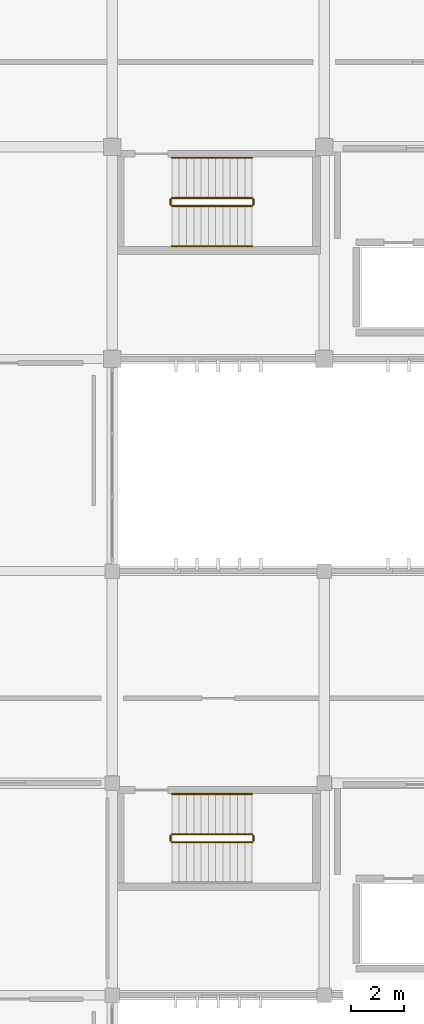
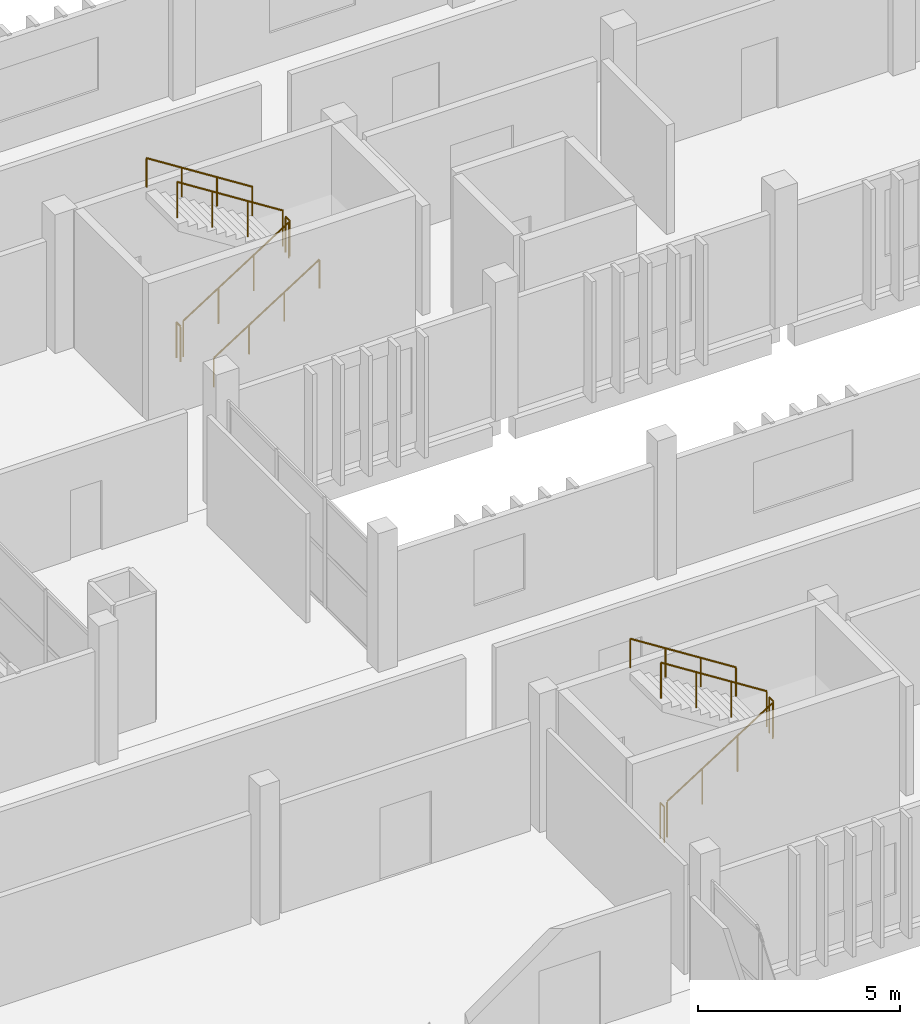
# One storey, part 60 of 63: 11 railings.
"""IFC4 building model written with IfcOpenShell, lengths in metres."""

from ifc_helpers import new_model, si_unit, direction, frame, origin, origin_2d, place, context, subcontext, project, spatial, circle, extrude, material, type_object, element, save


model = new_model("IFC4")

# Units and contexts
model_context = context("Model", 3, precision=1e-05, world=origin(), true_north=direction((0.0, 1.0)))
body_context = subcontext(model_context, "Body", "Model", "MODEL_VIEW")
ifc_project = project(units=[si_unit("LENGTHUNIT", "METRE"), si_unit("AREAUNIT", "SQUARE_METRE"), si_unit("VOLUMEUNIT", "CUBIC_METRE"), si_unit("PLANEANGLEUNIT", "RADIAN"), si_unit("MASSUNIT", "GRAM", prefix="KILO")], contexts=[model_context])

# Site, building, storey
site_placement = place(None, origin())
site = spatial("IfcSite", under=ifc_project, at=site_placement, CompositionType="ELEMENT")
building_placement = place(site_placement, origin())
building = spatial("IfcBuilding", under=site, at=building_placement, Name="Jelvoka-Kovrelna Polytechnic", CompositionType="ELEMENT")
storey_placement = place(building_placement, frame((0.0, 0.0, 18.0)))
storey = spatial("IfcBuildingStorey", under=building, at=storey_placement, Name="L05", CompositionType="ELEMENT", Elevation=18.0)

# Railings
ifc_material_1 = material(Name="Powder-coated steel stair guard", Category="steel")
railing_type_1 = type_object("IfcRailingType", Name="Railing_Stair_Guard_1100", PredefinedType="GUARDRAIL", material=ifc_material_1)
railing_1_placement = place(storey_placement, frame((82.25, 37.77001953125, 0.175048828125)))
element("IfcRailing", 1, at=railing_1_placement, inside=storey, type_object=railing_type_1, Name="L05 ST07 stair guard 1", PredefinedType="GUARDRAIL", context=body_context, shape_type="SweptSolid", body=[
    extrude(circle(Radius=0.02392578125, at=origin_2d()), frame((0.0, 0.0, 1.076171875), z_axis=(0.84364746871, 0.0, 0.536897521451), x_axis=(0.0, 1.0, 0.0)), (0.0, 0.0, 1.0), 3.58544921875),
    extrude(circle(Radius=0.02099609375, at=origin_2d()), origin(), (0.0, 0.0, 1.0), 1.052001953125),
    extrude(circle(Radius=0.02099609375, at=origin_2d()), frame((1.00830078125, 0.0, 0.6416015625)), (0.0, 0.0, 1.0), 1.052001953125),
    extrude(circle(Radius=0.02099609375, at=origin_2d()), frame((2.0166015625, 0.0, 1.283447265625)), (0.0, 0.0, 1.0), 1.052001953125),
    extrude(circle(Radius=0.02099609375, at=origin_2d()), frame((3.02490234375, 0.0, 1.925048828125)), (0.0, 0.0, 1.0), 1.052001953125),
])
railing_2_placement = place(storey_placement, frame((85.324951171875, 37.820068359375, 2.10009765625)))
element("IfcRailing", 2, at=railing_2_placement, inside=storey, type_object=railing_type_1, Name="L05 ST07 stair guard 2", PredefinedType="GUARDRAIL", context=body_context, shape_type="SweptSolid", body=[
    extrude(circle(Radius=0.02392578125, at=origin_2d()), frame((0.0, 0.0, 1.076171875), z_axis=(0.0, 1.0, 0.0), x_axis=(-1.0, 0.0, 0.0)), (0.0, 0.0, 1.0), 0.199951171875),
    extrude(circle(Radius=0.02099609375, at=origin_2d()), origin(), (0.0, 0.0, 1.0), 1.052001953125),
    extrude(circle(Radius=0.02099609375, at=origin_2d()), frame((0.0, 0.199951171875, 0.0)), (0.0, 0.0, 1.0), 1.052001953125),
])
railing_3_placement = place(storey_placement, frame((85.27490234375, 38.070068359375, 2.27490234375)))
element("IfcRailing", 3, at=railing_3_placement, inside=storey, type_object=railing_type_1, Name="L05 ST07 stair guard 3", PredefinedType="GUARDRAIL", context=body_context, shape_type="SweptSolid", body=[
    extrude(circle(Radius=0.02392578125, at=origin_2d()), frame((0.0, 0.0, 1.076171875), z_axis=(-0.84364746871, 0.0, 0.536897521451), x_axis=(0.0, -1.0, 0.0)), (0.0, 0.0, 1.0), 3.58544921875),
    extrude(circle(Radius=0.02099609375, at=origin_2d()), origin(), (0.0, 0.0, 1.0), 1.052001953125),
    extrude(circle(Radius=0.02099609375, at=origin_2d()), frame((-1.00830078125, 0.0, 0.6416015625)), (0.0, 0.0, 1.0), 1.052001953125),
    extrude(circle(Radius=0.02099609375, at=origin_2d()), frame((-2.0166015625, 0.0, 1.283447265625)), (0.0, 0.0, 1.0), 1.052001953125),
    extrude(circle(Radius=0.02099609375, at=origin_2d()), frame((-3.02490234375, 0.0, 1.925048828125)), (0.0, 0.0, 1.0), 1.052001953125),
])
railing_4_placement = place(storey_placement, frame((82.199951171875, 37.820068359375, 0.0)))
element("IfcRailing", 4, at=railing_4_placement, inside=storey, type_object=railing_type_1, Name="L05 ST07 stair guard 4", PredefinedType="GUARDRAIL", context=body_context, shape_type="SweptSolid", body=[
    extrude(circle(Radius=0.02392578125, at=origin_2d()), frame((0.0, 0.0, 1.076171875), z_axis=(0.0, 1.0, 0.0), x_axis=(-1.0, 0.0, 0.0)), (0.0, 0.0, 1.0), 0.199951171875),
    extrude(circle(Radius=0.02099609375, at=origin_2d()), origin(), (0.0, 0.0, 1.0), 1.052001953125),
    extrude(circle(Radius=0.02099609375, at=origin_2d()), frame((0.0, 0.199951171875, 0.0)), (0.0, 0.0, 1.0), 1.052001953125),
])
railing_5_placement = place(storey_placement, frame((82.25, 61.77001953125, 0.175048828125)))
element("IfcRailing", 5, at=railing_5_placement, inside=storey, type_object=railing_type_1, Name="L05 ST09 stair guard 1", PredefinedType="GUARDRAIL", context=body_context, shape_type="SweptSolid", body=[
    extrude(circle(Radius=0.02392578125, at=origin_2d()), frame((0.0, 0.0, 1.076171875), z_axis=(0.84364746871, 0.0, 0.536897521451), x_axis=(0.0, 1.0, 0.0)), (0.0, 0.0, 1.0), 3.58544921875),
    extrude(circle(Radius=0.02099609375, at=origin_2d()), origin(), (0.0, 0.0, 1.0), 1.052001953125),
    extrude(circle(Radius=0.02099609375, at=origin_2d()), frame((1.00830078125, 0.0, 0.6416015625)), (0.0, 0.0, 1.0), 1.052001953125),
    extrude(circle(Radius=0.02099609375, at=origin_2d()), frame((2.0166015625, 0.0, 1.283447265625)), (0.0, 0.0, 1.0), 1.052001953125),
    extrude(circle(Radius=0.02099609375, at=origin_2d()), frame((3.02490234375, 0.0, 1.925048828125)), (0.0, 0.0, 1.0), 1.052001953125),
])
railing_6_placement = place(storey_placement, frame((85.324951171875, 61.820068359375, 2.10009765625)))
element("IfcRailing", 6, at=railing_6_placement, inside=storey, type_object=railing_type_1, Name="L05 ST09 stair guard 2", PredefinedType="GUARDRAIL", context=body_context, shape_type="SweptSolid", body=[
    extrude(circle(Radius=0.02392578125, at=origin_2d()), frame((0.0, 0.0, 1.076171875), z_axis=(0.0, 1.0, 0.0), x_axis=(-1.0, 0.0, 0.0)), (0.0, 0.0, 1.0), 0.199951171875),
    extrude(circle(Radius=0.02099609375, at=origin_2d()), origin(), (0.0, 0.0, 1.0), 1.052001953125),
    extrude(circle(Radius=0.02099609375, at=origin_2d()), frame((0.0, 0.199951171875, 0.0)), (0.0, 0.0, 1.0), 1.052001953125),
])
railing_7_placement = place(storey_placement, frame((85.27490234375, 62.070068359375, 2.27490234375)))
element("IfcRailing", 7, at=railing_7_placement, inside=storey, type_object=railing_type_1, Name="L05 ST09 stair guard 3", PredefinedType="GUARDRAIL", context=body_context, shape_type="SweptSolid", body=[
    extrude(circle(Radius=0.02392578125, at=origin_2d()), frame((0.0, 0.0, 1.076171875), z_axis=(-0.84364746871, 0.0, 0.536897521451), x_axis=(0.0, -1.0, 0.0)), (0.0, 0.0, 1.0), 3.58544921875),
    extrude(circle(Radius=0.02099609375, at=origin_2d()), origin(), (0.0, 0.0, 1.0), 1.052001953125),
    extrude(circle(Radius=0.02099609375, at=origin_2d()), frame((-1.00830078125, 0.0, 0.6416015625)), (0.0, 0.0, 1.0), 1.052001953125),
    extrude(circle(Radius=0.02099609375, at=origin_2d()), frame((-2.0166015625, 0.0, 1.283447265625)), (0.0, 0.0, 1.0), 1.052001953125),
    extrude(circle(Radius=0.02099609375, at=origin_2d()), frame((-3.02490234375, 0.0, 1.925048828125)), (0.0, 0.0, 1.0), 1.052001953125),
])
railing_8_placement = place(storey_placement, frame((82.199951171875, 61.820068359375, 0.0)))
element("IfcRailing", 8, at=railing_8_placement, inside=storey, type_object=railing_type_1, Name="L05 ST09 stair guard 4", PredefinedType="GUARDRAIL", context=body_context, shape_type="SweptSolid", body=[
    extrude(circle(Radius=0.02392578125, at=origin_2d()), frame((0.0, 0.0, 1.076171875), z_axis=(0.0, 1.0, 0.0), x_axis=(-1.0, 0.0, 0.0)), (0.0, 0.0, 1.0), 0.199951171875),
    extrude(circle(Radius=0.02099609375, at=origin_2d()), origin(), (0.0, 0.0, 1.0), 1.052001953125),
    extrude(circle(Radius=0.02099609375, at=origin_2d()), frame((0.0, 0.199951171875, 0.0)), (0.0, 0.0, 1.0), 1.052001953125),
])
ifc_material_2 = material(Name="Brushed stainless steel handrail", Category="steel")
railing_type_2 = type_object("IfcRailingType", Name="Railing_Stair_Handrail_900", PredefinedType="HANDRAIL", material=ifc_material_2)
railing_9_placement = place(storey_placement, frame((85.27490234375, 39.590087890625, 2.27490234375)))
element("IfcRailing", 9, at=railing_9_placement, inside=storey, type_object=railing_type_2, Name="L05 ST07 stair handrail 2", PredefinedType="HANDRAIL", context=body_context, shape_type="SweptSolid", body=[
    extrude(circle(Radius=0.02392578125, at=origin_2d()), frame((0.0, 0.0, 0.8759765625), z_axis=(-0.84364746871, 0.0, 0.536897521451), x_axis=(0.0, -1.0, 0.0)), (0.0, 0.0, 1.0), 3.58544921875),
    extrude(circle(Radius=0.02099609375, at=origin_2d()), origin(), (0.0, 0.0, 1.0), 0.851806640625),
    extrude(circle(Radius=0.02099609375, at=origin_2d()), frame((-1.00830078125, 0.0, 0.6416015625)), (0.0, 0.0, 1.0), 0.851806640625),
    extrude(circle(Radius=0.02099609375, at=origin_2d()), frame((-2.0166015625, 0.0, 1.283447265625)), (0.0, 0.0, 1.0), 0.851806640625),
    extrude(circle(Radius=0.02099609375, at=origin_2d()), frame((-3.02490234375, 0.0, 1.925048828125)), (0.0, 0.0, 1.0), 0.851806640625),
])
railing_10_placement = place(storey_placement, frame((82.25, 60.25, 0.175048828125)))
element("IfcRailing", 10, at=railing_10_placement, inside=storey, type_object=railing_type_2, Name="L05 ST09 stair handrail 1", PredefinedType="HANDRAIL", context=body_context, shape_type="SweptSolid", body=[
    extrude(circle(Radius=0.02392578125, at=origin_2d()), frame((0.0, 0.0, 0.8759765625), z_axis=(0.84364746871, 0.0, 0.536897521451), x_axis=(0.0, 1.0, 0.0)), (0.0, 0.0, 1.0), 3.58544921875),
    extrude(circle(Radius=0.02099609375, at=origin_2d()), origin(), (0.0, 0.0, 1.0), 0.851806640625),
    extrude(circle(Radius=0.02099609375, at=origin_2d()), frame((1.00830078125, 0.0, 0.6416015625)), (0.0, 0.0, 1.0), 0.851806640625),
    extrude(circle(Radius=0.02099609375, at=origin_2d()), frame((2.0166015625, 0.0, 1.283447265625)), (0.0, 0.0, 1.0), 0.851806640625),
    extrude(circle(Radius=0.02099609375, at=origin_2d()), frame((3.02490234375, 0.0, 1.925048828125)), (0.0, 0.0, 1.0), 0.851806640625),
])
railing_11_placement = place(storey_placement, frame((85.27490234375, 63.590087890625, 2.27490234375)))
element("IfcRailing", 11, at=railing_11_placement, inside=storey, type_object=railing_type_2, Name="L05 ST09 stair handrail 2", PredefinedType="HANDRAIL", context=body_context, shape_type="SweptSolid", body=[
    extrude(circle(Radius=0.02392578125, at=origin_2d()), frame((0.0, 0.0, 0.8759765625), z_axis=(-0.84364746871, 0.0, 0.536897521451), x_axis=(0.0, -1.0, 0.0)), (0.0, 0.0, 1.0), 3.58544921875),
    extrude(circle(Radius=0.02099609375, at=origin_2d()), origin(), (0.0, 0.0, 1.0), 0.851806640625),
    extrude(circle(Radius=0.02099609375, at=origin_2d()), frame((-1.00830078125, 0.0, 0.6416015625)), (0.0, 0.0, 1.0), 0.851806640625),
    extrude(circle(Radius=0.02099609375, at=origin_2d()), frame((-2.0166015625, 0.0, 1.283447265625)), (0.0, 0.0, 1.0), 0.851806640625),
    extrude(circle(Radius=0.02099609375, at=origin_2d()), frame((-3.02490234375, 0.0, 1.925048828125)), (0.0, 0.0, 1.0), 0.851806640625),
])

save(model, "model.ifc")
